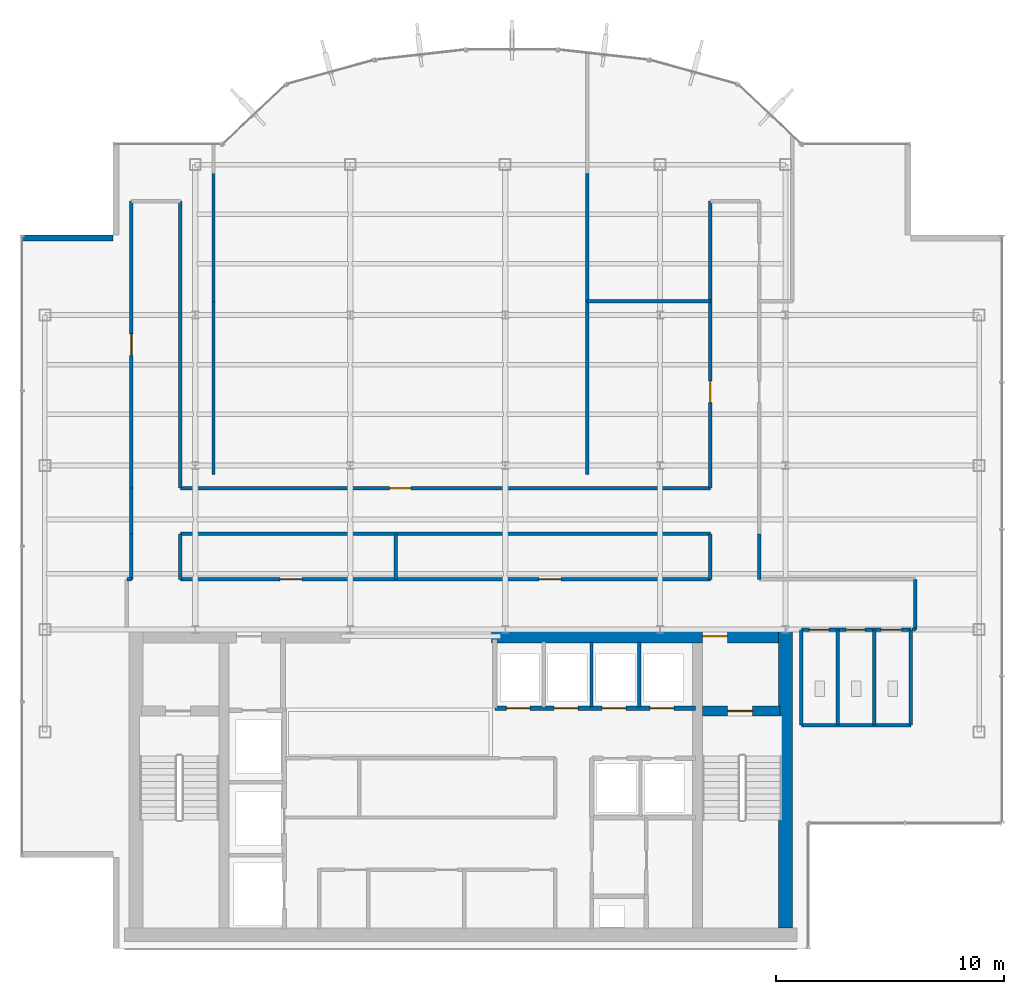
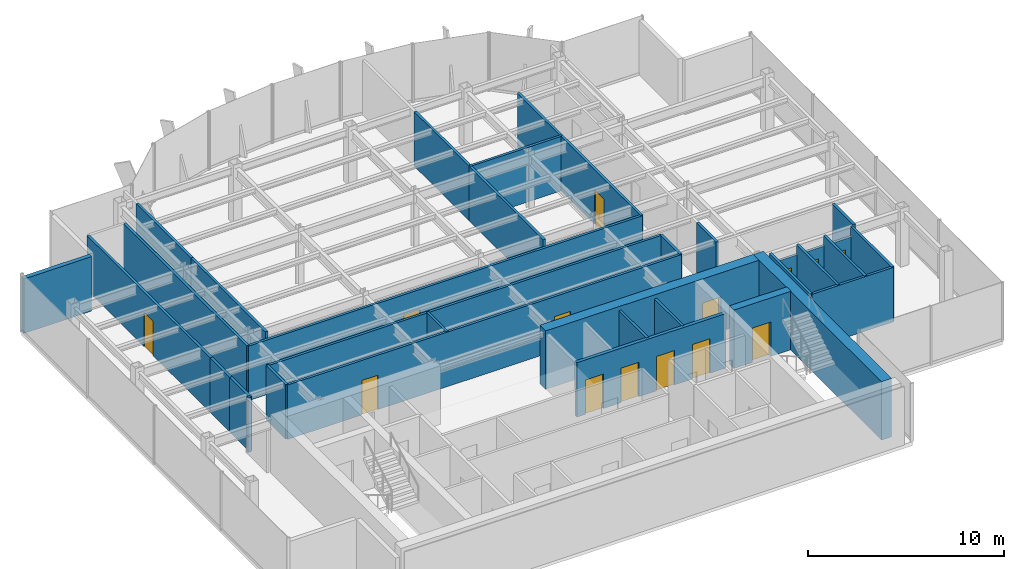
# One storey, part 18 of 22: 33 walls, 14 doors, 14 openings.
"""IFC4 building model written with IfcOpenShell, lengths in metres."""

from ifc_helpers import new_model, si_unit, derived_unit, direction, frame, frame_2d, origin, place, context, subcontext, project, spatial, rectangle, extrude, source, transform, mapped, material, layer, layer_set, type_object, element, fill, save


model = new_model("IFC4")

# Units and contexts
model_context = context("Model", 3, precision=1e-05, world=origin(), true_north=direction((0.0, 1.0)))
body_context = subcontext(model_context, "Body", "Model", "MODEL_VIEW")
ifc_project = project(units=[si_unit("LENGTHUNIT", "METRE"), si_unit("AREAUNIT", "SQUARE_METRE"), si_unit("VOLUMEUNIT", "CUBIC_METRE"), si_unit("PLANEANGLEUNIT", "RADIAN"), si_unit("MASSUNIT", "GRAM", prefix="KILO"), derived_unit("THERMALTRANSMITTANCEUNIT", [(si_unit("POWERUNIT", "WATT"), 1), (si_unit("LENGTHUNIT", "METRE"), -2), (si_unit("THERMODYNAMICTEMPERATUREUNIT", "KELVIN"), -1)])], contexts=[model_context])

# Site, building, storey
site_placement = place(None, origin())
site = spatial("IfcSite", under=ifc_project, at=site_placement, CompositionType="ELEMENT")
building_placement = place(site_placement, origin())
building = spatial("IfcBuilding", under=site, at=building_placement, Name="Skarnbrae Concourse Arena and Tower", CompositionType="ELEMENT")
storey_placement = place(building_placement, frame((0.0, 0.0, 240.550048828125)))
storey = spatial("IfcBuildingStorey", under=building, at=storey_placement, Name="L62", CompositionType="ELEMENT", Elevation=240.550048828125)

# Wall, opening, door
ifc_material_1 = material(Name="Concrete 50 MPa (C50/60)", Category="concrete")
ifc_layer_1 = layer(ifc_material_1, 0.449951171875)
ifc_layer_set_1 = layer_set([ifc_layer_1], Name="Concrete 50 MPa (C50/60)")
wall_type_1 = type_object("IfcWallType", Name="WALL-CORE-450-C50", PredefinedType="SHEAR", material=ifc_layer_set_1)
shared_shape_1 = source(origin(), body_context, "Body", "SweptSolid", [
    extrude(rectangle(XDim=3.389892578125, YDim=0.449951171875, at=frame_2d((1.69482421875, 0.0))), origin(), (0.0, 0.0, 1.0), 3.64990234375),
])
wall_1_placement = place(storey_placement, frame((29.860107421875, 10.419921875, 0.0), z_axis=(0.0, 0.0, 1.0), x_axis=(1.0, 0.0, 0.0)))
wall_1 = element("IfcWall", 1, at=wall_1_placement, inside=storey, type_object=wall_type_1, Name="L62 Rear core shear wall CW-ST2-N", PredefinedType="SHEAR", context=body_context, shape_type="MappedRepresentation", body=[
    mapped(shared_shape_1, transform((0.0, 0.0, 0.0))),
])
opening_1_placement = place(wall_1_placement, frame((1.10009765625, 0.0, 0.0)))
opening_1 = element("IfcOpeningElement", 2, at=opening_1_placement, cuts=wall_1, Name="Opening DT-03", PredefinedType="OPENING", context=body_context, shape_type="SweptSolid", body=[
    extrude(rectangle(XDim=1.10009765625, YDim=2.14990234375, at=frame_2d((0.550048828125, 1.074951171875))), frame((0.0, 0.23486328125, 0.0), z_axis=(0.0, -1.0, 0.0), x_axis=(1.0, 0.0, 0.0)), (0.0, 0.0, 1.0), 0.469970703125),
])
ifc_material_2 = material(Name="Steel CSA G40.21 350W", Category="steel")
door_type_1 = type_object("IfcDoorType", Name="DOOR-FIRE-1100-90M", OperationType="NOTDEFINED", PredefinedType="DOOR", material=ifc_material_2)
shared_shape_2 = source(origin(), body_context, "Body", "SweptSolid", [
    extrude(rectangle(XDim=1.10009765625, YDim=2.14990234375, at=frame_2d((0.550048828125, 1.074951171875))), frame((0.0, 0.02490234375, 0.0), z_axis=(0.0, -1.0, 0.0), x_axis=(1.0, 0.0, 0.0)), (0.0, 0.0, 1.0), 0.050048828125),
])
door_1_placement = place(opening_1_placement, frame((1.10009765625, 0.0, 0.0), z_axis=(0.0, 0.0, 1.0), x_axis=(-1.0, 0.0, 0.0)))
door_1 = element("IfcDoor", 3, at=door_1_placement, inside=storey, type_object=door_type_1, Name="D-1864 Stair ST-2 Door", OperationType="SINGLE_SWING_RIGHT", OverallHeight=2.14990234375, OverallWidth=1.10009765625, PredefinedType="DOOR", context=body_context, shape_type="MappedRepresentation", body=[
    mapped(shared_shape_2, transform((0.0, 0.0, 0.0))),
])
fill(opening_1, door_1)

# Wall
ifc_layer_2 = layer(ifc_material_1, 0.60009765625)
ifc_layer_set_2 = layer_set([ifc_layer_2], Name="Concrete 50 MPa (C50/60)")
wall_type_2 = type_object("IfcWallType", Name="WALL-CORE-600-C50", PredefinedType="SHEAR", material=ifc_layer_set_2)
shared_shape_3 = source(origin(), body_context, "Body", "SweptSolid", [
    extrude(rectangle(XDim=13.10009765625, YDim=0.60009765625, at=frame_2d((6.550048828125, 0.0))), origin(), (0.0, 0.0, 1.0), 3.64990234375),
])
wall_2_placement = place(storey_placement, frame((33.5, 0.89990234375, 0.0), z_axis=(0.0, 0.0, 1.0), x_axis=(0.0, 1.0, 0.0)))
element("IfcWall", 4, at=wall_2_placement, inside=storey, type_object=wall_type_2, Name="L62 Rear core shear wall CW-E", PredefinedType="SHEAR", context=body_context, shape_type="MappedRepresentation", body=[
    mapped(shared_shape_3, transform((0.0, 0.0, 0.0))),
])

# Wall, opening, door
shared_shape_4 = source(origin(), body_context, "Body", "SweptSolid", [
    extrude(rectangle(XDim=12.599853515625, YDim=0.60009765625, at=frame_2d((6.2998046875, 0.0))), origin(), (0.0, 0.0, 1.0), 3.64990234375),
])
wall_3_placement = place(storey_placement, frame((20.60009765625, 13.699951171875, 0.0), z_axis=(0.0, 0.0, 1.0), x_axis=(1.0, 0.0, 0.0)))
wall_3 = element("IfcWall", 5, at=wall_3_placement, inside=storey, type_object=wall_type_2, Name="L62 Rear core shear wall CW-NE", PredefinedType="SHEAR", context=body_context, shape_type="MappedRepresentation", body=[
    mapped(shared_shape_4, transform((0.0, 0.0, 0.0))),
])
opening_2_placement = place(wall_3_placement, frame((9.25, 0.0, 0.0)))
opening_2 = element("IfcOpeningElement", 6, at=opening_2_placement, cuts=wall_3, Name="Opening DT-03", PredefinedType="OPENING", context=body_context, shape_type="SweptSolid", body=[
    extrude(rectangle(XDim=1.10009765625, YDim=2.14990234375, at=frame_2d((0.550048828125, 1.074951171875))), frame((0.0, 0.31005859375, 0.0), z_axis=(0.0, -1.0, 0.0), x_axis=(1.0, 0.0, 0.0)), (0.0, 0.0, 1.0), 0.6201171875),
])
door_2_placement = place(opening_2_placement, origin())
door_2 = element("IfcDoor", 7, at=door_2_placement, inside=storey, type_object=door_type_1, Name="D-1866 Stair ST-2 Vestibule Door", OperationType="SINGLE_SWING_LEFT", OverallHeight=2.14990234375, OverallWidth=1.10009765625, PredefinedType="DOOR", context=body_context, shape_type="MappedRepresentation", body=[
    mapped(shared_shape_2, transform((0.0, 0.0, 0.0))),
])
fill(opening_2, door_2)

# Wall
ifc_material_3 = material(Name="Precast concrete 40 MPa (C40/50)", Category="concrete")
ifc_layer_3 = layer(ifc_material_3, 0.25)
ifc_layer_set_3 = layer_set([ifc_layer_3], Name="Precast concrete 40 MPa (C40/50)")
wall_type_3 = type_object("IfcWallType", Name="WALL-EXT-SPANDREL-250", PredefinedType="STANDARD", material=ifc_layer_set_3)
shared_shape_5 = source(origin(), body_context, "Body", "SweptSolid", [
    extrude(rectangle(XDim=4.0, YDim=0.25, at=frame_2d((2.0, 0.0))), origin(), (0.0, 0.0, 1.0), 3.39990234375),
])
wall_4_placement = place(storey_placement, frame((4.0, 31.175048828125, 0.0), z_axis=(0.0, 0.0, 1.0), x_axis=(-1.0, 0.0, 0.0)))
element("IfcWall", 8, at=wall_4_placement, inside=storey, type_object=wall_type_3, Name="L62 Notched corner insulated return wall 17", PredefinedType="STANDARD", context=body_context, shape_type="MappedRepresentation", body=[
    mapped(shared_shape_5, transform((0.0, 0.0, 0.0))),
])

# Wall, openings, doors
ifc_material_4 = material(Name="Gypsum board on cold-formed steel studs", Category="steel")
ifc_layer_4 = layer(ifc_material_4, 0.199951171875)
ifc_layer_set_4 = layer_set([ifc_layer_4], Name="Gypsum board on cold-formed steel studs")
wall_type_4 = type_object("IfcWallType", Name="WALL-PART-200-2HR", PredefinedType="PARTITIONING", material=ifc_layer_set_4)
shared_shape_6 = source(origin(), body_context, "Body", "SweptSolid", [
    extrude(rectangle(XDim=8.800048828125, YDim=0.199951171875, at=frame_2d((4.39990234375, 0.0))), origin(), (0.0, 0.0, 1.0), 3.39990234375),
])
wall_5_placement = place(storey_placement, frame((20.75, 10.550048828125, 0.0), z_axis=(0.0, 0.0, 1.0), x_axis=(1.0, 0.0, 0.0)))
wall_5 = element("IfcWall", 9, at=wall_5_placement, inside=storey, type_object=wall_type_4, Name="L62 Interior partition wall W-L62-B3N-S", PredefinedType="PARTITIONING", context=body_context, shape_type="MappedRepresentation", body=[
    mapped(shared_shape_6, transform((0.0, 0.0, 0.0))),
])
opening_3_placement = place(wall_5_placement, frame((0.5, 0.0, 0.0)))
opening_3 = element("IfcOpeningElement", 10, at=opening_3_placement, cuts=wall_5, Name="Opening LD-04", PredefinedType="OPENING", context=body_context, shape_type="SweptSolid", body=[
    extrude(rectangle(XDim=1.050048828125, YDim=2.14990234375, at=frame_2d((0.52490234375, 1.074951171875))), frame((0.0, 0.10986328125, 0.0), z_axis=(0.0, -1.0, 0.0), x_axis=(1.0, 0.0, 0.0)), (0.0, 0.0, 1.0), 0.219970703125),
])
opening_4_placement = place(wall_5_placement, frame((2.60009765625, 0.0, 0.0)))
opening_4 = element("IfcOpeningElement", 11, at=opening_4_placement, cuts=wall_5, Name="Opening LD-04", PredefinedType="OPENING", context=body_context, shape_type="SweptSolid", body=[
    extrude(rectangle(XDim=1.050048828125, YDim=2.14990234375, at=frame_2d((0.52490234375, 1.074951171875))), frame((0.0, 0.10986328125, 0.0), z_axis=(0.0, -1.0, 0.0), x_axis=(1.0, 0.0, 0.0)), (0.0, 0.0, 1.0), 0.219970703125),
])
opening_5_placement = place(wall_5_placement, frame((4.699951171875, 0.0, 0.0)))
opening_5 = element("IfcOpeningElement", 12, at=opening_5_placement, cuts=wall_5, Name="Opening LD-04", PredefinedType="OPENING", context=body_context, shape_type="SweptSolid", body=[
    extrude(rectangle(XDim=1.050048828125, YDim=2.14990234375, at=frame_2d((0.52490234375, 1.074951171875))), frame((0.0, 0.10986328125, 0.0), z_axis=(0.0, -1.0, 0.0), x_axis=(1.0, 0.0, 0.0)), (0.0, 0.0, 1.0), 0.219970703125),
])
opening_6_placement = place(wall_5_placement, frame((6.800048828125, 0.0, 0.0)))
opening_6 = element("IfcOpeningElement", 13, at=opening_6_placement, cuts=wall_5, Name="Opening LD-04", PredefinedType="OPENING", context=body_context, shape_type="SweptSolid", body=[
    extrude(rectangle(XDim=1.050048828125, YDim=2.14990234375, at=frame_2d((0.52490234375, 1.074951171875))), frame((0.0, 0.10986328125, 0.0), z_axis=(0.0, -1.0, 0.0), x_axis=(1.0, 0.0, 0.0)), (0.0, 0.0, 1.0), 0.219970703125),
])
ifc_material_5 = material(Name="Bronze anodised aluminium 6063-T6", Category="aluminium")
door_type_2 = type_object("IfcDoorType", Name="DOOR-LIFT-SLIDE-1050H", OperationType="SLIDING_TO_LEFT", PredefinedType="DOOR", material=ifc_material_5)
shared_shape_7 = source(origin(), body_context, "Body", "SweptSolid", [
    extrude(rectangle(XDim=1.050048828125, YDim=2.14990234375, at=frame_2d((0.52490234375, 1.074951171875))), frame((0.0, 0.02490234375, 0.0), z_axis=(0.0, -1.0, 0.0), x_axis=(1.0, 0.0, 0.0)), (0.0, 0.0, 1.0), 0.050048828125),
])
door_3_placement = place(opening_3_placement, frame((1.050048828125, 0.0, 0.0), z_axis=(0.0, 0.0, 1.0), x_axis=(-1.0, 0.0, 0.0)))
door_3 = element("IfcDoor", 14, at=door_3_placement, inside=storey, type_object=door_type_2, Name="D-1875 Passenger Lift Landing Door PL-3A", OperationType="SLIDING_TO_LEFT", OverallHeight=2.14990234375, OverallWidth=1.050048828125, PredefinedType="DOOR", context=body_context, shape_type="MappedRepresentation", body=[
    mapped(shared_shape_7, transform((0.0, 0.0, 0.0))),
])
fill(opening_3, door_3)
door_4_placement = place(opening_4_placement, frame((1.050048828125, 0.0, 0.0), z_axis=(0.0, 0.0, 1.0), x_axis=(-1.0, 0.0, 0.0)))
door_4 = element("IfcDoor", 15, at=door_4_placement, inside=storey, type_object=door_type_2, Name="D-1876 Passenger Lift Landing Door PL-3B", OperationType="SLIDING_TO_LEFT", OverallHeight=2.14990234375, OverallWidth=1.050048828125, PredefinedType="DOOR", context=body_context, shape_type="MappedRepresentation", body=[
    mapped(shared_shape_7, transform((0.0, 0.0, 0.0))),
])
fill(opening_4, door_4)
door_5_placement = place(opening_5_placement, frame((1.050048828125, 0.0, 0.0), z_axis=(0.0, 0.0, 1.0), x_axis=(-1.0, 0.0, 0.0)))
door_5 = element("IfcDoor", 16, at=door_5_placement, inside=storey, type_object=door_type_2, Name="D-1877 Passenger Lift Landing Door PL-3C", OperationType="SLIDING_TO_LEFT", OverallHeight=2.14990234375, OverallWidth=1.050048828125, PredefinedType="DOOR", context=body_context, shape_type="MappedRepresentation", body=[
    mapped(shared_shape_7, transform((0.0, 0.0, 0.0))),
])
fill(opening_5, door_5)
door_6_placement = place(opening_6_placement, frame((1.050048828125, 0.0, 0.0), z_axis=(0.0, 0.0, 1.0), x_axis=(-1.0, 0.0, 0.0)))
door_6 = element("IfcDoor", 17, at=door_6_placement, inside=storey, type_object=door_type_2, Name="D-1878 Passenger Lift Landing Door PL-3D", OperationType="SLIDING_TO_LEFT", OverallHeight=2.14990234375, OverallWidth=1.050048828125, PredefinedType="DOOR", context=body_context, shape_type="MappedRepresentation", body=[
    mapped(shared_shape_7, transform((0.0, 0.0, 0.0))),
])
fill(opening_6, door_6)

# Walls
ifc_layer_5 = layer(ifc_material_4, 0.14990234375)
ifc_layer_set_5 = layer_set([ifc_layer_5], Name="Gypsum board on cold-formed steel studs")
wall_type_5 = type_object("IfcWallType", Name="WALL-PART-150", PredefinedType="PARTITIONING", material=ifc_layer_set_5)
shared_shape_8 = source(origin(), body_context, "Body", "SweptSolid", [
    extrude(rectangle(XDim=2.849853515625, YDim=0.14990234375, at=frame_2d((1.4248046875, 0.0))), origin(), (0.0, 0.0, 1.0), 3.39990234375),
])
for number, where, z_axis, x_axis, name in (
    (18, (24.989990234375, 10.60009765625, 0.0), (0.0, 0.0, 1.0), (0.0, 1.0, 0.0), "L62 Interior partition wall W-L62-B3N-P2"),
    (19, (27.090087890625, 10.60009765625, 0.0), (0.0, 0.0, 1.0), (0.0, 1.0, 0.0), "L62 Interior partition wall W-L62-B3N-P3"),
):
    element("IfcWall", number, at=place(storey_placement, frame(where, z_axis=z_axis, x_axis=x_axis)), inside=storey, type_object=wall_type_5, Name=name, PredefinedType="PARTITIONING", context=body_context, shape_type="MappedRepresentation", body=[
        mapped(shared_shape_8, transform((0.0, 0.0, 0.0))),
    ])
shared_shape_9 = source(origin(), body_context, "Body", "SweptSolid", [
    extrude(rectangle(XDim=4.800048828125, YDim=0.14990234375, at=frame_2d((2.39990234375, 0.0))), origin(), (0.0, 0.0, 1.0), 3.39990234375),
])
wall_6_placement = place(storey_placement, frame((34.199951171875, 9.800048828125, 0.0), z_axis=(0.0, 0.0, 1.0), x_axis=(1.0, 0.0, 0.0)))
element("IfcWall", 20, at=wall_6_placement, inside=storey, type_object=wall_type_5, Name="L62 Interior partition wall W-L62-WC-S", PredefinedType="PARTITIONING", context=body_context, shape_type="MappedRepresentation", body=[
    mapped(shared_shape_9, transform((0.0, 0.0, 0.0))),
])
shared_shape_10 = source(origin(), body_context, "Body", "SweptSolid", [
    extrude(rectangle(XDim=4.179931640625, YDim=0.14990234375, at=frame_2d((2.08984375, 0.0))), origin(), (0.0, 0.0, 1.0), 3.39990234375),
])
for number, where, z_axis, x_axis, name in (
    (21, (39.0, 9.800048828125, 0.0), (0.0, 0.0, 1.0), (0.0, 1.0, 0.0), "L62 Interior partition wall W-L62-WC-E"),
    (22, (34.199951171875, 9.800048828125, 0.0), (0.0, 0.0, 1.0), (0.0, 1.0, 0.0), "L62 Interior partition wall W-L62-WC-W"),
    (23, (35.800048828125, 9.800048828125, 0.0), (0.0, 0.0, 1.0), (0.0, 1.0, 0.0), "L62 Interior partition wall W-L62-WC-D1"),
    (24, (37.39990234375, 9.800048828125, 0.0), (0.0, 0.0, 1.0), (0.0, 1.0, 0.0), "L62 Interior partition wall W-L62-WC-D2"),
):
    element("IfcWall", number, at=place(storey_placement, frame(where, z_axis=z_axis, x_axis=x_axis)), inside=storey, type_object=wall_type_5, Name=name, PredefinedType="PARTITIONING", context=body_context, shape_type="MappedRepresentation", body=[
        mapped(shared_shape_10, transform((0.0, 0.0, 0.0))),
    ])
ifc_layer_6 = layer(ifc_material_4, 0.14990234375)
ifc_layer_set_6 = layer_set([ifc_layer_6], Name="Gypsum board on cold-formed steel studs")
wall_type_6 = type_object("IfcWallType", Name="WALL-PART-150-1HR", PredefinedType="PARTITIONING", material=ifc_layer_set_6)
shared_shape_11 = source(origin(), body_context, "Body", "SweptSolid", [
    extrude(rectangle(XDim=0.199951171875, YDim=0.14990234375, at=frame_2d((0.10009765625, 0.0))), origin(), (0.0, 0.0, 1.0), 3.39990234375),
])
wall_7_placement = place(storey_placement, frame((4.60009765625, 16.199951171875, 0.0), z_axis=(0.0, 0.0, 1.0), x_axis=(1.0, 0.0, 0.0)))
element("IfcWall", 25, at=wall_7_placement, inside=storey, type_object=wall_type_6, Name="L62 Interior partition wall W-L62-COR-02", PredefinedType="PARTITIONING", context=body_context, shape_type="MappedRepresentation", body=[
    mapped(shared_shape_11, transform((0.0, 0.0, 0.0))),
])
shared_shape_12 = source(origin(), body_context, "Body", "SweptSolid", [
    extrude(rectangle(XDim=2.199951171875, YDim=0.14990234375, at=frame_2d((1.10009765625, 0.0))), origin(), (0.0, 0.0, 1.0), 3.39990234375),
])
wall_8_placement = place(storey_placement, frame((39.199951171875, 16.199951171875, 0.0), z_axis=(0.0, 0.0, 1.0), x_axis=(0.0, -1.0, 0.0)))
element("IfcWall", 26, at=wall_8_placement, inside=storey, type_object=wall_type_6, Name="L62 Interior partition wall W-L62-COR-15", PredefinedType="PARTITIONING", context=body_context, shape_type="MappedRepresentation", body=[
    mapped(shared_shape_12, transform((0.0, 0.0, 0.0))),
])
shared_shape_13 = source(origin(), body_context, "Body", "SweptSolid", [
    extrude(rectangle(XDim=5.60009765625, YDim=0.14990234375, at=frame_2d((2.800048828125, 0.0))), origin(), (0.0, 0.0, 1.0), 3.39990234375),
])
for number, where, z_axis, x_axis, name in (
    (27, (8.39990234375, 34.0, 0.0), (0.0, 0.0, 1.0), (0.0, -1.0, 0.0), "L62 Interior partition wall W-L62-DEM-22"),
    (28, (24.800048828125, 34.0, 0.0), (0.0, 0.0, 1.0), (0.0, -1.0, 0.0), "L62 Interior partition wall W-L62-DEM-28"),
):
    element("IfcWall", number, at=place(storey_placement, frame(where, z_axis=z_axis, x_axis=x_axis)), inside=storey, type_object=wall_type_5, Name=name, PredefinedType="PARTITIONING", context=body_context, shape_type="MappedRepresentation", body=[
        mapped(shared_shape_13, transform((0.0, 0.0, 0.0))),
    ])

# Wall, openings, doors
shared_shape_14 = source(origin(), body_context, "Body", "SweptSolid", [
    extrude(rectangle(XDim=4.800048828125, YDim=0.14990234375, at=frame_2d((2.39990234375, 0.0))), origin(), (0.0, 0.0, 1.0), 2.786865234375),
])
wall_9_placement = place(storey_placement, frame((34.199951171875, 13.97998046875, 0.0), z_axis=(0.0, 0.0, 1.0), x_axis=(1.0, 0.0, 0.0)))
wall_9 = element("IfcWall", 29, at=wall_9_placement, inside=storey, type_object=wall_type_5, Name="L62 Interior partition wall W-L62-WC-N", PredefinedType="PARTITIONING", context=body_context, shape_type="MappedRepresentation", body=[
    mapped(shared_shape_14, transform((0.0, 0.0, 0.0))),
])
opening_7_placement = place(wall_9_placement, frame((0.35009765625, 0.0, 0.0)))
opening_7 = element("IfcOpeningElement", 30, at=opening_7_placement, cuts=wall_9, Name="Opening DT-06", PredefinedType="OPENING", context=body_context, shape_type="SweptSolid", body=[
    extrude(rectangle(XDim=0.85009765625, YDim=2.10009765625, at=frame_2d((0.425048828125, 1.050048828125))), frame((0.0, 0.0849609375, 0.0), z_axis=(0.0, -1.0, 0.0), x_axis=(1.0, 0.0, 0.0)), (0.0, 0.0, 1.0), 0.169921875),
])
opening_8_placement = place(wall_9_placement, frame((1.949951171875, 0.0, 0.0)))
opening_8 = element("IfcOpeningElement", 31, at=opening_8_placement, cuts=wall_9, Name="Opening DT-06", PredefinedType="OPENING", context=body_context, shape_type="SweptSolid", body=[
    extrude(rectangle(XDim=0.85009765625, YDim=2.10009765625, at=frame_2d((0.425048828125, 1.050048828125))), frame((0.0, 0.0849609375, 0.0), z_axis=(0.0, -1.0, 0.0), x_axis=(1.0, 0.0, 0.0)), (0.0, 0.0, 1.0), 0.169921875),
])
opening_9_placement = place(wall_9_placement, frame((3.5, 0.0, 0.0)))
opening_9 = element("IfcOpeningElement", 32, at=opening_9_placement, cuts=wall_9, Name="Opening DT-05", PredefinedType="OPENING", context=body_context, shape_type="SweptSolid", body=[
    extrude(rectangle(XDim=0.89990234375, YDim=2.10009765625, at=frame_2d((0.449951171875, 1.050048828125))), frame((0.0, 0.0849609375, 0.0), z_axis=(0.0, -1.0, 0.0), x_axis=(1.0, 0.0, 0.0)), (0.0, 0.0, 1.0), 0.169921875),
])
ifc_material_6 = material(Name="Architectural oak veneer timber leaf", Category="wood")
door_type_3 = type_object("IfcDoorType", Name="DOOR-INT-850", OperationType="NOTDEFINED", PredefinedType="DOOR", material=ifc_material_6)
shared_shape_15 = source(origin(), body_context, "Body", "SweptSolid", [
    extrude(rectangle(XDim=0.85009765625, YDim=2.10009765625, at=frame_2d((0.425048828125, 1.050048828125))), frame((0.0, 0.02490234375, 0.0), z_axis=(0.0, -1.0, 0.0), x_axis=(1.0, 0.0, 0.0)), (0.0, 0.0, 1.0), 0.050048828125),
])
door_7_placement = place(opening_7_placement, frame((0.85009765625, 0.0, 0.0), z_axis=(0.0, 0.0, 1.0), x_axis=(-1.0, 0.0, 0.0)))
door_7 = element("IfcDoor", 33, at=door_7_placement, inside=storey, type_object=door_type_3, Name="D-1883 Male Washroom Door", OperationType="SINGLE_SWING_LEFT", OverallHeight=2.10009765625, OverallWidth=0.85009765625, PredefinedType="DOOR", context=body_context, shape_type="MappedRepresentation", body=[
    mapped(shared_shape_15, transform((0.0, 0.0, 0.0))),
])
fill(opening_7, door_7)
door_8_placement = place(opening_8_placement, frame((0.85009765625, 0.0, 0.0), z_axis=(0.0, 0.0, 1.0), x_axis=(-1.0, 0.0, 0.0)))
door_8 = element("IfcDoor", 34, at=door_8_placement, inside=storey, type_object=door_type_3, Name="D-1884 Female Washroom Door", OperationType="SINGLE_SWING_RIGHT", OverallHeight=2.10009765625, OverallWidth=0.85009765625, PredefinedType="DOOR", context=body_context, shape_type="MappedRepresentation", body=[
    mapped(shared_shape_15, transform((0.0, 0.0, 0.0))),
])
fill(opening_8, door_8)
door_type_4 = type_object("IfcDoorType", Name="DOOR-INT-900", OperationType="NOTDEFINED", PredefinedType="DOOR", material=ifc_material_6)
shared_shape_16 = source(origin(), body_context, "Body", "SweptSolid", [
    extrude(rectangle(XDim=0.89990234375, YDim=2.10009765625, at=frame_2d((0.449951171875, 1.050048828125))), frame((0.0, 0.02490234375, 0.0), z_axis=(0.0, -1.0, 0.0), x_axis=(1.0, 0.0, 0.0)), (0.0, 0.0, 1.0), 0.050048828125),
])
door_9_placement = place(opening_9_placement, frame((0.89990234375, 0.0, 0.0), z_axis=(0.0, 0.0, 1.0), x_axis=(-1.0, 0.0, 0.0)))
door_9 = element("IfcDoor", 35, at=door_9_placement, inside=storey, type_object=door_type_4, Name="D-1885 Accessible WC Door", OperationType="SINGLE_SWING_LEFT", OverallHeight=2.10009765625, OverallWidth=0.89990234375, PredefinedType="DOOR", context=body_context, shape_type="MappedRepresentation", body=[
    mapped(shared_shape_16, transform((0.0, 0.0, 0.0))),
])
fill(opening_9, door_9)

# Walls
shared_shape_17 = source(origin(), body_context, "Body", "SweptSolid", [
    extrude(rectangle(XDim=0.14990234375, YDim=0.14990234375, at=frame_2d((0.074951171875, 0.0))), origin(), (0.0, 0.0, 1.0), 3.39990234375),
])
wall_10_placement = place(storey_placement, frame((39.199951171875, 14.0, 0.0), z_axis=(0.0, 0.0, 1.0), x_axis=(-1.0, 0.0, 0.0)))
element("IfcWall", 36, at=wall_10_placement, inside=storey, type_object=wall_type_6, Name="L62 Interior partition wall W-L62-COR-16", PredefinedType="PARTITIONING", context=body_context, shape_type="MappedRepresentation", body=[
    mapped(shared_shape_17, transform((0.0, 0.0, 0.0))),
])
shared_shape_18 = source(origin(), body_context, "Body", "SweptSolid", [
    extrude(rectangle(XDim=2.0, YDim=0.14990234375, at=frame_2d((1.0, 0.0))), origin(), (0.0, 0.0, 1.0), 3.39990234375),
])
for number, where, z_axis, x_axis, name in (
    (37, (4.800048828125, 16.199951171875, 0.0), (0.0, 0.0, 1.0), (0.0, 1.0, 0.0), "L62 Interior partition wall W-L62-COR-03"),
    (38, (4.800048828125, 18.199951171875, 0.0), (0.0, 0.0, 1.0), (0.0, 1.0, 0.0), "L62 Interior partition wall W-L62-COR-04"),
    (39, (32.35009765625, 18.199951171875, 0.0), (0.0, 0.0, 1.0), (0.0, -1.0, 0.0), "L62 Interior partition wall W-L62-COR-13"),
    (40, (30.199951171875, 16.199951171875, 0.0), (0.0, 0.0, 1.0), (0.0, 1.0, 0.0), "L62 Interior partition wall W-L62-COR-18"),
    (41, (6.949951171875, 18.199951171875, 0.0), (0.0, 0.0, 1.0), (0.0, -1.0, 0.0), "L62 Interior partition wall W-L62-COR-20"),
):
    element("IfcWall", number, at=place(storey_placement, frame(where, z_axis=z_axis, x_axis=x_axis)), inside=storey, type_object=wall_type_6, Name=name, PredefinedType="PARTITIONING", context=body_context, shape_type="MappedRepresentation", body=[
        mapped(shared_shape_18, transform((0.0, 0.0, 0.0))),
    ])
wall_11_placement = place(storey_placement, frame((16.39990234375, 18.199951171875, 0.0), z_axis=(0.0, 0.0, 1.0), x_axis=(0.0, -1.0, 0.0)))
element("IfcWall", 42, at=wall_11_placement, inside=storey, type_object=wall_type_5, Name="L62 Interior partition wall W-L62-DEM-24", PredefinedType="PARTITIONING", context=body_context, shape_type="MappedRepresentation", body=[
    mapped(shared_shape_18, transform((0.0, 0.0, 0.0))),
])
shared_shape_19 = source(origin(), body_context, "Body", "SweptSolid", [
    extrude(rectangle(XDim=7.599853515625, YDim=0.14990234375, at=frame_2d((3.7998046875, 0.0))), origin(), (0.0, 0.0, 1.0), 3.39990234375),
])
for number, where, z_axis, x_axis, name in (
    (43, (8.39990234375, 28.39990234375, 0.0), (0.0, 0.0, 1.0), (0.0, -1.0, 0.0), "L62 Interior partition wall W-L62-DEM-23"),
    (44, (24.800048828125, 28.39990234375, 0.0), (0.0, 0.0, 1.0), (0.0, -1.0, 0.0), "L62 Interior partition wall W-L62-DEM-25"),
):
    element("IfcWall", number, at=place(storey_placement, frame(where, z_axis=z_axis, x_axis=x_axis)), inside=storey, type_object=wall_type_5, Name=name, PredefinedType="PARTITIONING", context=body_context, shape_type="MappedRepresentation", body=[
        mapped(shared_shape_19, transform((0.0, 0.0, 0.0))),
    ])

# Wall, opening, door
shared_shape_20 = source(origin(), body_context, "Body", "SweptSolid", [
    extrude(rectangle(XDim=12.60009765625, YDim=0.14990234375, at=frame_2d((6.300048828125, 0.0))), origin(), (0.0, 0.0, 1.0), 3.39990234375),
])
wall_12_placement = place(storey_placement, frame((4.800048828125, 20.199951171875, 0.0), z_axis=(0.0, 0.0, 1.0), x_axis=(0.0, 1.0, 0.0)))
wall_12 = element("IfcWall", 45, at=wall_12_placement, inside=storey, type_object=wall_type_6, Name="L62 Interior partition wall W-L62-COR-05", PredefinedType="PARTITIONING", context=body_context, shape_type="MappedRepresentation", body=[
    mapped(shared_shape_20, transform((0.0, 0.0, 0.0))),
])
opening_10_placement = place(wall_12_placement, frame((5.824951171875, 0.0, 0.0)))
opening_10 = element("IfcOpeningElement", 46, at=opening_10_placement, cuts=wall_12, Name="Opening DT-04", PredefinedType="OPENING", context=body_context, shape_type="SweptSolid", body=[
    extrude(rectangle(XDim=0.949951171875, YDim=2.14990234375, at=frame_2d((0.47509765625, 1.074951171875))), frame((0.0, 0.0849609375, 0.0), z_axis=(0.0, -1.0, 0.0), x_axis=(1.0, 0.0, 0.0)), (0.0, 0.0, 1.0), 0.169921875),
])
door_type_5 = type_object("IfcDoorType", Name="DOOR-INT-950-45M", OperationType="NOTDEFINED", PredefinedType="DOOR", material=ifc_material_2)
shared_shape_21 = source(origin(), body_context, "Body", "SweptSolid", [
    extrude(rectangle(XDim=0.949951171875, YDim=2.14990234375, at=frame_2d((0.47509765625, 1.074951171875))), frame((0.0, 0.02490234375, 0.0), z_axis=(0.0, -1.0, 0.0), x_axis=(1.0, 0.0, 0.0)), (0.0, 0.0, 1.0), 0.050048828125),
])
door_10_placement = place(opening_10_placement, origin())
door_10 = element("IfcDoor", 47, at=door_10_placement, inside=storey, type_object=door_type_5, Name="D-1886 L62 Suite Door 01", OperationType="SINGLE_SWING_RIGHT", OverallHeight=2.14990234375, OverallWidth=0.949951171875, PredefinedType="DOOR", context=body_context, shape_type="MappedRepresentation", body=[
    mapped(shared_shape_21, transform((0.0, 0.0, 0.0))),
])
fill(opening_10, door_10)

# Wall
wall_13_placement = place(storey_placement, frame((6.949951171875, 32.800048828125, 0.0), z_axis=(0.0, 0.0, 1.0), x_axis=(0.0, -1.0, 0.0)))
element("IfcWall", 48, at=wall_13_placement, inside=storey, type_object=wall_type_6, Name="L62 Interior partition wall W-L62-COR-07", PredefinedType="PARTITIONING", context=body_context, shape_type="MappedRepresentation", body=[
    mapped(shared_shape_20, transform((0.0, 0.0, 0.0))),
])

# Wall, opening, door
wall_14_placement = place(storey_placement, frame((30.199951171875, 20.199951171875, 0.0), z_axis=(0.0, 0.0, 1.0), x_axis=(0.0, 1.0, 0.0)))
wall_14 = element("IfcWall", 49, at=wall_14_placement, inside=storey, type_object=wall_type_6, Name="L62 Interior partition wall W-L62-COR-09", PredefinedType="PARTITIONING", context=body_context, shape_type="MappedRepresentation", body=[
    mapped(shared_shape_20, transform((0.0, 0.0, 0.0))),
])
opening_11_placement = place(wall_14_placement, frame((3.7548828125, 0.0, 0.0)))
opening_11 = element("IfcOpeningElement", 50, at=opening_11_placement, cuts=wall_14, Name="Opening DT-04", PredefinedType="OPENING", context=body_context, shape_type="SweptSolid", body=[
    extrude(rectangle(XDim=0.949951171875, YDim=2.14990234375, at=frame_2d((0.47509765625, 1.074951171875))), frame((0.0, 0.0849609375, 0.0), z_axis=(0.0, -1.0, 0.0), x_axis=(1.0, 0.0, 0.0)), (0.0, 0.0, 1.0), 0.169921875),
])
door_11_placement = place(opening_11_placement, origin())
door_11 = element("IfcDoor", 51, at=door_11_placement, inside=storey, type_object=door_type_5, Name="D-1890 L62 Suite Door 05", OperationType="SINGLE_SWING_RIGHT", OverallHeight=2.14990234375, OverallWidth=0.949951171875, PredefinedType="DOOR", context=body_context, shape_type="MappedRepresentation", body=[
    mapped(shared_shape_21, transform((0.0, 0.0, 0.0))),
])
fill(opening_11, door_11)

shared_shape_22 = source(origin(), body_context, "Body", "SweptSolid", [
    extrude(rectangle(XDim=23.25, YDim=0.14990234375, at=frame_2d((11.625, 0.0))), origin(), (0.0, 0.0, 1.0), 3.39990234375),
])
wall_15_placement = place(storey_placement, frame((6.949951171875, 20.199951171875, 0.0), z_axis=(0.0, 0.0, 1.0), x_axis=(1.0, 0.0, 0.0)))
wall_15 = element("IfcWall", 52, at=wall_15_placement, inside=storey, type_object=wall_type_6, Name="L62 Interior partition wall W-L62-COR-08", PredefinedType="PARTITIONING", context=body_context, shape_type="MappedRepresentation", body=[
    mapped(shared_shape_22, transform((0.0, 0.0, 0.0))),
])
opening_12_placement = place(wall_15_placement, frame((9.175048828125, 0.0, 0.0)))
opening_12 = element("IfcOpeningElement", 53, at=opening_12_placement, cuts=wall_15, Name="Opening DT-04", PredefinedType="OPENING", context=body_context, shape_type="SweptSolid", body=[
    extrude(rectangle(XDim=0.949951171875, YDim=2.14990234375, at=frame_2d((0.47509765625, 1.074951171875))), frame((0.0, 0.0849609375, 0.0), z_axis=(0.0, -1.0, 0.0), x_axis=(1.0, 0.0, 0.0)), (0.0, 0.0, 1.0), 0.169921875),
])
door_12_placement = place(opening_12_placement, origin())
door_12 = element("IfcDoor", 54, at=door_12_placement, inside=storey, type_object=door_type_5, Name="D-1888 L62 Suite Door 03", OperationType="SINGLE_SWING_RIGHT", OverallHeight=2.14990234375, OverallWidth=0.949951171875, PredefinedType="DOOR", context=body_context, shape_type="MappedRepresentation", body=[
    mapped(shared_shape_21, transform((0.0, 0.0, 0.0))),
])
fill(opening_12, door_12)

# Wall, openings, doors
wall_16_placement = place(storey_placement, frame((6.949951171875, 16.199951171875, 0.0), z_axis=(0.0, 0.0, 1.0), x_axis=(1.0, 0.0, 0.0)))
wall_16 = element("IfcWall", 55, at=wall_16_placement, inside=storey, type_object=wall_type_6, Name="L62 Interior partition wall W-L62-COR-17", PredefinedType="PARTITIONING", context=body_context, shape_type="MappedRepresentation", body=[
    mapped(shared_shape_22, transform((0.0, 0.0, 0.0))),
])
opening_13_placement = place(wall_16_placement, frame((4.3798828125, 0.0, 0.0)))
opening_13 = element("IfcOpeningElement", 56, at=opening_13_placement, cuts=wall_16, Name="Opening DT-04", PredefinedType="OPENING", context=body_context, shape_type="SweptSolid", body=[
    extrude(rectangle(XDim=0.949951171875, YDim=2.14990234375, at=frame_2d((0.47509765625, 1.074951171875))), frame((0.0, 0.0849609375, 0.0), z_axis=(0.0, -1.0, 0.0), x_axis=(1.0, 0.0, 0.0)), (0.0, 0.0, 1.0), 0.169921875),
])
opening_14_placement = place(wall_16_placement, frame((15.7451171875, 0.0, 0.0)))
opening_14 = element("IfcOpeningElement", 57, at=opening_14_placement, cuts=wall_16, Name="Opening DT-04", PredefinedType="OPENING", context=body_context, shape_type="SweptSolid", body=[
    extrude(rectangle(XDim=0.949951171875, YDim=2.14990234375, at=frame_2d((0.47509765625, 1.074951171875))), frame((0.0, 0.0849609375, 0.0), z_axis=(0.0, -1.0, 0.0), x_axis=(1.0, 0.0, 0.0)), (0.0, 0.0, 1.0), 0.169921875),
])
door_13_placement = place(opening_13_placement, origin())
door_13 = element("IfcDoor", 58, at=door_13_placement, inside=storey, type_object=door_type_5, Name="D-1887 L62 Suite Door 02", OperationType="SINGLE_SWING_LEFT", OverallHeight=2.14990234375, OverallWidth=0.949951171875, PredefinedType="DOOR", context=body_context, shape_type="MappedRepresentation", body=[
    mapped(shared_shape_21, transform((0.0, 0.0, 0.0))),
])
fill(opening_13, door_13)
door_14_placement = place(opening_14_placement, origin())
door_14 = element("IfcDoor", 59, at=door_14_placement, inside=storey, type_object=door_type_5, Name="D-1889 L62 Suite Door 04", OperationType="SINGLE_SWING_LEFT", OverallHeight=2.14990234375, OverallWidth=0.949951171875, PredefinedType="DOOR", context=body_context, shape_type="MappedRepresentation", body=[
    mapped(shared_shape_21, transform((0.0, 0.0, 0.0))),
])
fill(opening_14, door_14)

# Walls
wall_17_placement = place(storey_placement, frame((30.199951171875, 18.199951171875, 0.0), z_axis=(0.0, 0.0, 1.0), x_axis=(-1.0, 0.0, 0.0)))
element("IfcWall", 60, at=wall_17_placement, inside=storey, type_object=wall_type_6, Name="L62 Interior partition wall W-L62-COR-19", PredefinedType="PARTITIONING", context=body_context, shape_type="MappedRepresentation", body=[
    mapped(shared_shape_22, transform((0.0, 0.0, 0.0))),
])
shared_shape_23 = source(origin(), body_context, "Body", "SweptSolid", [
    extrude(rectangle(XDim=5.39990234375, YDim=0.14990234375, at=frame_2d((2.699951171875, 0.0))), origin(), (0.0, 0.0, 1.0), 3.39990234375),
])
wall_18_placement = place(storey_placement, frame((24.800048828125, 28.39990234375, 0.0), z_axis=(0.0, 0.0, 1.0), x_axis=(1.0, 0.0, 0.0)))
element("IfcWall", 61, at=wall_18_placement, inside=storey, type_object=wall_type_5, Name="L62 Interior partition wall W-L62-DEM-26", PredefinedType="PARTITIONING", context=body_context, shape_type="MappedRepresentation", body=[
    mapped(shared_shape_23, transform((0.0, 0.0, 0.0))),
])

save(model, "model.ifc")
